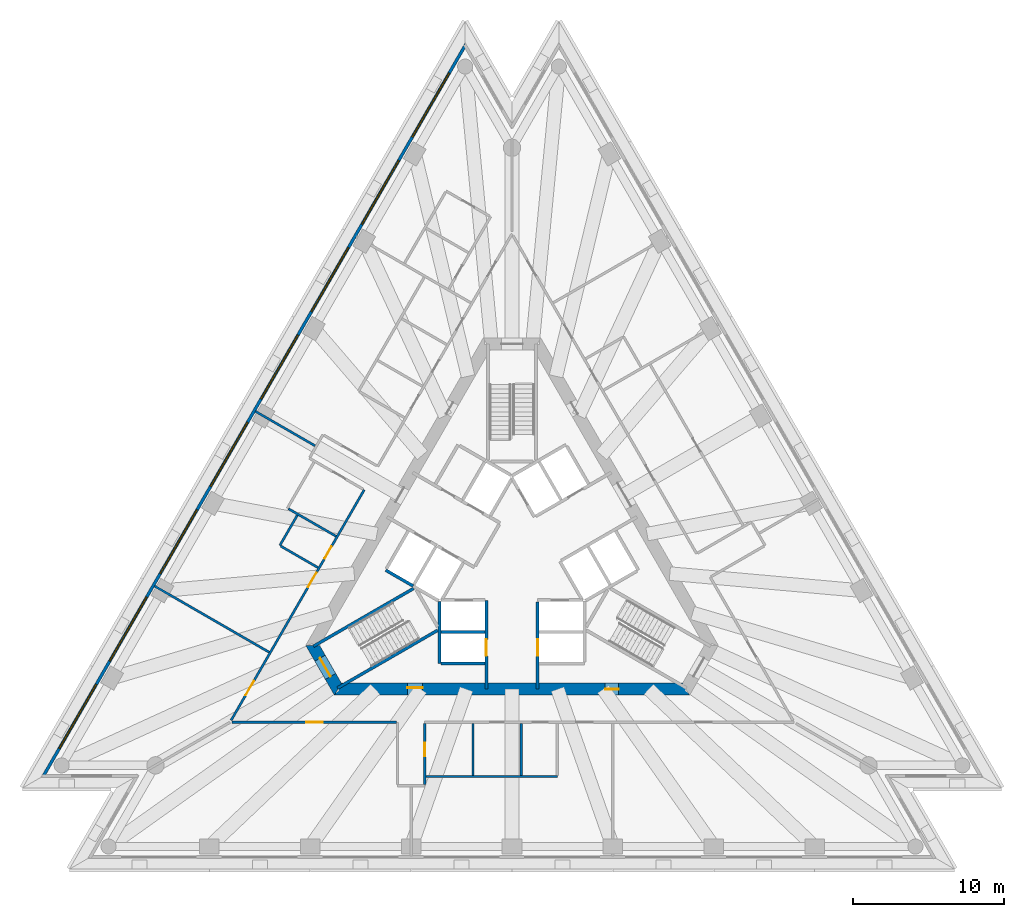
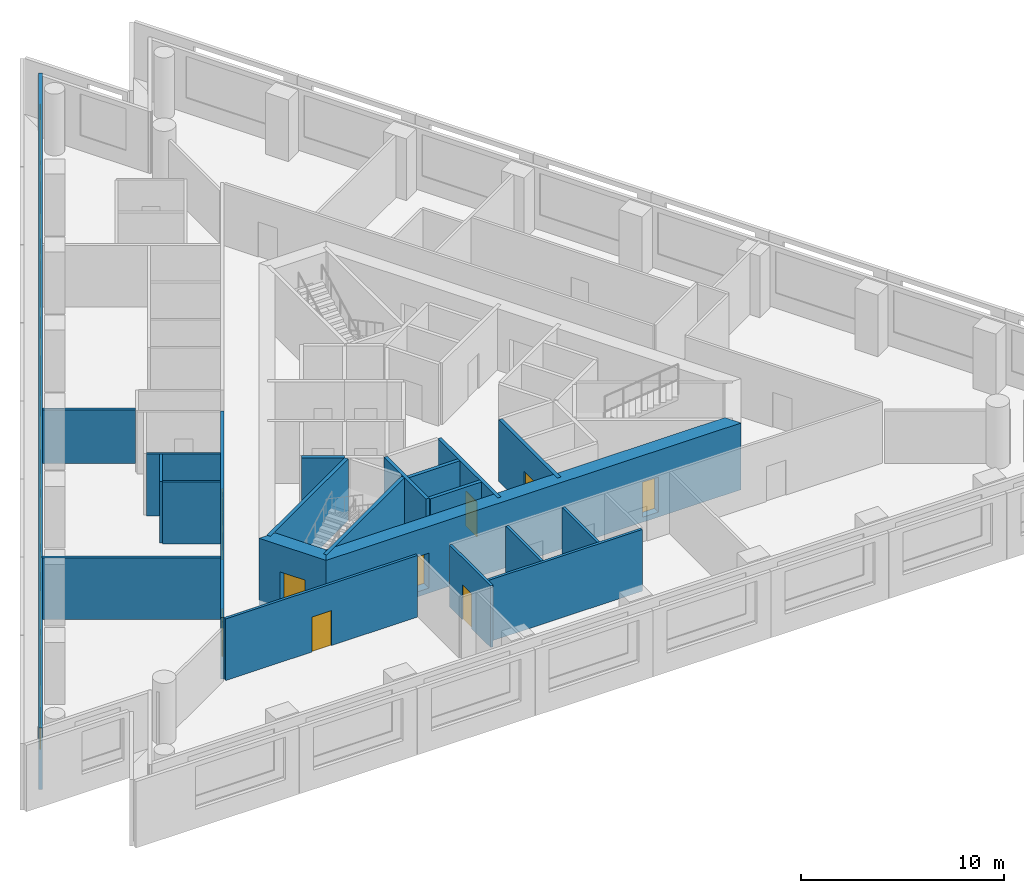
# One storey, part 3 of 9: 22 walls, 10 doors, 8 windows, 18 openings.
"""IFC4 building model written with IfcOpenShell, lengths in metres."""

from ifc_helpers import new_model, si_unit, direction, frame, frame_2d, origin, place, context, subcontext, project, spatial, polyline, rectangle, outline, extrude, material, layer, layer_set, layer_usage, type_object, element, fill, save


model = new_model("IFC4")

# Units and contexts
model_context = context("Model", 3, precision=1e-05, world=origin(), true_north=direction((0.0, 1.0)))
body_context = subcontext(model_context, "Body", "Model", "MODEL_VIEW")
ifc_project = project(units=[si_unit("LENGTHUNIT", "METRE"), si_unit("AREAUNIT", "SQUARE_METRE"), si_unit("VOLUMEUNIT", "CUBIC_METRE"), si_unit("PLANEANGLEUNIT", "RADIAN"), si_unit("MASSUNIT", "GRAM", prefix="KILO")], contexts=[model_context])

# Site, building, storey
site_placement = place(None, origin())
site = spatial("IfcSite", under=ifc_project, at=site_placement, CompositionType="ELEMENT")
building_placement = place(site_placement, origin())
building = spatial("IfcBuilding", under=site, at=building_placement, Name="Triada Interchange Tower", CompositionType="ELEMENT")
storey_placement = place(building_placement, frame((0.0, 0.0, 140.300048828125)))
storey = spatial("IfcBuildingStorey", under=building, at=storey_placement, Name="L32", CompositionType="ELEMENT", Elevation=140.300048828125)

# Walls
ifc_material_1 = material(Name="Concrete C30/37", Category="concrete")
ifc_layer_1 = layer(ifc_material_1, 0.199951171875)
ifc_layer_set_1 = layer_set([ifc_layer_1], Name="CORE WALL 200 EI 120")
wall_type_1 = type_object("IfcWallType", Name="CORE WALL 200 EI 120", PredefinedType="SOLIDWALL", material=ifc_layer_set_1)
wall_1_placement = place(storey_placement, frame((-8.3759765625, -0.70703125, 0.0), z_axis=(0.0, 0.0, 1.0), x_axis=(0.866067520717, -0.499927044236, 0.0)))
element("IfcWall", 1, at=wall_1_placement, inside=storey, type_object=wall_type_1, Name="Wall L32 46", PredefinedType="SOLIDWALL", context=body_context, shape_type="SweptSolid", body=[
    extrude(rectangle(XDim=2.100341796875, YDim=0.199951171875, at=frame_2d((1.05029296875, 0.0))), origin(), (0.0, 0.0, 1.0), 3.699951171875),
])
wall_2_placement = place(storey_placement, frame((-4.699951171875, -4.800048828125, 0.0), z_axis=(0.0, 0.0, 1.0), x_axis=(1.0, 0.0, 0.0)))
element("IfcWall", 2, at=wall_2_placement, inside=storey, type_object=wall_type_1, Name="Wall L32 48", PredefinedType="SOLIDWALL", context=body_context, shape_type="SweptSolid", body=[
    extrude(rectangle(XDim=2.89990234375, YDim=0.199951171875, at=frame_2d((1.449951171875, 0.0))), origin(), (0.0, 0.0, 1.0), 3.699951171875),
])
wall_3_placement = place(storey_placement, frame((-4.800048828125, -6.89990234375, 0.0), z_axis=(0.0, 0.0, 1.0), x_axis=(0.0, 1.0, 0.0)))
element("IfcWall", 3, at=wall_3_placement, inside=storey, type_object=wall_type_1, Name="Wall L32 50", PredefinedType="SOLIDWALL", context=body_context, shape_type="SweptSolid", body=[
    extrude(rectangle(XDim=4.130859375, YDim=0.199951171875, at=frame_2d((2.0654296875, 0.0))), origin(), (0.0, 0.0, 1.0), 3.699951171875),
])
wall_4_placement = place(storey_placement, frame((-4.699951171875, -6.89990234375, 0.0), z_axis=(0.0, 0.0, 1.0), x_axis=(1.0, 0.0, 0.0)))
element("IfcWall", 4, at=wall_4_placement, inside=storey, type_object=wall_type_1, Name="Wall L32 51", PredefinedType="SOLIDWALL", context=body_context, shape_type="SweptSolid", body=[
    extrude(rectangle(XDim=2.89990234375, YDim=0.199951171875, at=frame_2d((1.449951171875, 0.0))), origin(), (0.0, 0.0, 1.0), 3.699951171875),
])

# Wall, opening, door
wall_5_placement = place(storey_placement, frame((-1.699951171875, -8.580078125, 0.0), z_axis=(0.0, 0.0, 1.0), x_axis=(0.0, 1.0, 0.0)))
wall_5 = element("IfcWall", 5, at=wall_5_placement, inside=storey, type_object=wall_type_1, Name="Wall L32 53", PredefinedType="SOLIDWALL", context=body_context, shape_type="SweptSolid", body=[
    extrude(rectangle(XDim=5.877197265625, YDim=0.199951171875, at=frame_2d((2.9384765625, 0.0))), origin(), (0.0, 0.0, 1.0), 3.699951171875),
])
opening_1_placement = place(wall_5_placement, frame((2.179931640625, 0.0, 0.0)))
opening_1 = element("IfcOpeningElement", 6, at=opening_1_placement, cuts=wall_5, Name="Opening LD-LR4", PredefinedType="OPENING", context=body_context, shape_type="SweptSolid", body=[
    extrude(rectangle(XDim=1.10009765625, YDim=2.10009765625, at=frame_2d((0.550048828125, 1.050048828125))), frame((0.0, 0.10986328125, 0.0), z_axis=(0.0, -1.0, 0.0), x_axis=(1.0, 0.0, 0.0)), (0.0, 0.0, 1.0), 0.219970703125),
])
ifc_material_2 = material(Name="Steel S235 door leaf", Category="steel")
door_type_1 = type_object("IfcDoorType", Name="LIFT LANDING DOOR 1100 EI 120", OperationType="SLIDING_TO_LEFT", PredefinedType="DOOR", material=ifc_material_2)
door_1_placement = place(opening_1_placement, origin())
door_1 = element("IfcDoor", 7, at=door_1_placement, inside=storey, type_object=door_type_1, Name="LR4 landing door L32", OperationType="SLIDING_TO_LEFT", OverallHeight=2.10009765625, OverallWidth=1.10009765625, PredefinedType="DOOR", context=body_context, shape_type="SweptSolid", body=[
    extrude(rectangle(XDim=1.10009765625, YDim=2.10009765625, at=frame_2d((0.550048828125, 1.050048828125))), frame((0.0, 0.02490234375, 0.0), z_axis=(0.0, -1.0, 0.0), x_axis=(1.0, 0.0, 0.0)), (0.0, 0.0, 1.0), 0.050048828125),
])
fill(opening_1, door_1)

wall_6_placement = place(storey_placement, frame((1.699951171875, -8.580078125, 0.0), z_axis=(0.0, 0.0, 1.0), x_axis=(0.0, 1.0, 0.0)))
wall_6 = element("IfcWall", 8, at=wall_6_placement, inside=storey, type_object=wall_type_1, Name="Wall L32 60", PredefinedType="SOLIDWALL", context=body_context, shape_type="SweptSolid", body=[
    extrude(rectangle(XDim=5.777099609375, YDim=0.199951171875, at=frame_2d((2.888671875, 0.0))), origin(), (0.0, 0.0, 1.0), 3.699951171875),
])
opening_2_placement = place(wall_6_placement, frame((2.179931640625, 0.0, 0.0)))
opening_2 = element("IfcOpeningElement", 9, at=opening_2_placement, cuts=wall_6, Name="Opening LD-LR2", PredefinedType="OPENING", context=body_context, shape_type="SweptSolid", body=[
    extrude(rectangle(XDim=1.10009765625, YDim=2.10009765625, at=frame_2d((0.550048828125, 1.050048828125))), frame((0.0, 0.10986328125, 0.0), z_axis=(0.0, -1.0, 0.0), x_axis=(1.0, 0.0, 0.0)), (0.0, 0.0, 1.0), 0.219970703125),
])
door_2_placement = place(opening_2_placement, origin())
door_2 = element("IfcDoor", 10, at=door_2_placement, inside=storey, type_object=door_type_1, Name="LR2 landing door L32", OperationType="SLIDING_TO_LEFT", OverallHeight=2.10009765625, OverallWidth=1.10009765625, PredefinedType="DOOR", context=body_context, shape_type="SweptSolid", body=[
    extrude(rectangle(XDim=1.10009765625, YDim=2.10009765625, at=frame_2d((0.550048828125, 1.050048828125))), frame((0.0, 0.02490234375, 0.0), z_axis=(0.0, -1.0, 0.0), x_axis=(1.0, 0.0, 0.0)), (0.0, 0.0, 1.0), 0.050048828125),
])
fill(opening_2, door_2)

# Walls
ifc_layer_2 = layer(ifc_material_1, 0.199951171875)
ifc_layer_set_2 = layer_set([ifc_layer_2], Name="CORE WALL 200 REI 240")
wall_type_2 = type_object("IfcWallType", Name="CORE WALL 200 REI 240", PredefinedType="SOLIDWALL", material=ifc_layer_set_2)
wall_7_placement = place(storey_placement, frame((-13.1669921875, -5.75390625, 0.0), z_axis=(0.0, 0.0, 1.0), x_axis=(0.866060938598, 0.499938446846, 0.0)))
element("IfcWall", 11, at=wall_7_placement, inside=storey, type_object=wall_type_2, Name="Wall L32 83", PredefinedType="SOLIDWALL", context=body_context, shape_type="SweptSolid", body=[
    extrude(rectangle(XDim=7.66455078125, YDim=0.199951171875, at=frame_2d((3.832275390625, 0.0))), origin(), (0.0, 0.0, 1.0), 3.699951171875),
])
wall_8_placement = place(storey_placement, frame((-11.56689453125, -8.52587890625, 0.0), z_axis=(0.0, 0.0, 1.0), x_axis=(0.866005769735, 0.50003400563, 0.0)))
element("IfcWall", 12, at=wall_8_placement, inside=storey, type_object=wall_type_2, Name="Wall L32 85", PredefinedType="SOLIDWALL", context=body_context, shape_type="SweptSolid", body=[
    extrude(rectangle(XDim=7.6650390625, YDim=0.199951171875, at=frame_2d((3.83251953125, 0.0))), origin(), (0.0, 0.0, 1.0), 3.699951171875),
])

# Wall, opening, door
ifc_material_3 = material(Name="Concrete C60/75", Category="concrete")
ifc_layer_3 = layer(ifc_material_3, 0.800048828125)
ifc_layer_set_3 = layer_set([ifc_layer_3], Name="Core wall B 800")
wall_type_3 = type_object("IfcWallType", Name="Core wall B 800", PredefinedType="SHEAR", material=ifc_layer_set_3)
wall_9_placement = place(storey_placement, frame((-13.220947265625, -5.699951171875, -0.300048828125), z_axis=(0.0, 0.0, 1.0), x_axis=(0.49987182685, -0.866099391942, 0.0)))
wall_9 = element("IfcWall", 13, at=wall_9_placement, inside=storey, type_object=wall_type_3, Name="Core wall WB03 L32", PredefinedType="SHEAR", context=body_context, shape_type="SweptSolid", body=[
    extrude(outline(polyline([(-0.23095703125, -0.39990234375), (1.674072265625, -0.39990234375), (3.5791015625, -0.39990234375), (3.117919921875, 0.39990234375), (1.67431640625, 0.39990234375), (0.23095703125, 0.39990234375), (-0.23095703125, -0.39990234375)])), origin(), (0.0, 0.0, 1.0), 4.0),
])
opening_3_placement = place(wall_9_placement, frame((0.97412109375, 0.0, 0.300048828125)))
opening_3 = element("IfcOpeningElement", 14, at=opening_3_placement, cuts=wall_9, Name="Opening D32-36", PredefinedType="OPENING", context=body_context, shape_type="SweptSolid", body=[
    extrude(rectangle(XDim=1.39990234375, YDim=2.10009765625, at=frame_2d((0.699951171875, 1.050048828125))), frame((0.0, 0.409912109375, 0.0), z_axis=(0.0, -1.0, 0.0), x_axis=(1.0, 0.0, 0.0)), (0.0, 0.0, 1.0), 0.820068359375),
])
door_type_2 = type_object("IfcDoorType", Name="STAIR DOOR 1400 EI2 90-C5S200", OperationType="DOUBLE_DOOR_SINGLE_SWING", PredefinedType="DOOR", material=ifc_material_2)
door_3_placement = place(opening_3_placement, origin())
door_3 = element("IfcDoor", 15, at=door_3_placement, inside=storey, type_object=door_type_2, Name="Door D32-36 L32", OperationType="DOUBLE_DOOR_SINGLE_SWING", OverallHeight=2.10009765625, OverallWidth=1.39990234375, PredefinedType="DOOR", context=body_context, shape_type="SweptSolid", body=[
    extrude(rectangle(XDim=1.39990234375, YDim=2.10009765625, at=frame_2d((0.699951171875, 1.050048828125))), frame((0.0, 0.02490234375, 0.0), z_axis=(0.0, -1.0, 0.0), x_axis=(1.0, 0.0, 0.0)), (0.0, 0.0, 1.0), 0.050048828125),
])
fill(opening_3, door_3)

# Wall, openings, doors
wall_10_placement = place(storey_placement, frame((-11.547119140625, -8.60009765625, -0.300048828125), z_axis=(0.0, 0.0, 1.0), x_axis=(1.0, 0.0, 0.0)))
wall_10 = element("IfcWall", 16, at=wall_10_placement, inside=storey, type_object=wall_type_3, Name="Core wall WB04 L32", PredefinedType="SHEAR", context=body_context, shape_type="SweptSolid", body=[
    extrude(outline(polyline([(-0.23095703125, -0.39990234375), (1.73193359375, -0.39990234375), (3.695068359375, -0.39990234375), (5.657958984375, -0.39990234375), (7.62109375, -0.39990234375), (9.583984375, -0.39990234375), (11.546875, -0.39990234375), (13.510009765625, -0.39990234375), (15.472900390625, -0.39990234375), (17.43603515625, -0.39990234375), (19.39892578125, -0.39990234375), (21.362060546875, -0.39990234375), (23.324951171875, -0.39990234375), (22.863037109375, 0.39990234375), (20.97705078125, 0.39990234375), (19.091064453125, 0.39990234375), (17.205078125, 0.39990234375), (15.319091796875, 0.39990234375), (13.43310546875, 0.39990234375), (11.546875, 0.39990234375), (9.660888671875, 0.39990234375), (7.77490234375, 0.39990234375), (5.888916015625, 0.39990234375), (4.0029296875, 0.39990234375), (2.116943359375, 0.39990234375), (0.23095703125, 0.39990234375), (-0.23095703125, -0.39990234375)])), origin(), (0.0, 0.0, 1.0), 4.0),
])
opening_4_placement = place(wall_10_placement, frame((4.612060546875, 0.0, 0.300048828125)))
opening_4 = element("IfcOpeningElement", 17, at=opening_4_placement, cuts=wall_10, Name="Opening D32-39", PredefinedType="OPENING", context=body_context, shape_type="SweptSolid", body=[
    extrude(rectangle(XDim=1.0, YDim=2.10009765625, at=frame_2d((0.5, 1.050048828125))), frame((0.0, 0.409912109375, 0.0), z_axis=(0.0, -1.0, 0.0), x_axis=(1.0, 0.0, 0.0)), (0.0, 0.0, 1.0), 0.820068359375),
])
opening_5_placement = place(wall_10_placement, frame((17.721923828125, 0.0, 0.300048828125)))
opening_5 = element("IfcOpeningElement", 18, at=opening_5_placement, cuts=wall_10, Name="Opening D32-42", PredefinedType="OPENING", context=body_context, shape_type="SweptSolid", body=[
    extrude(rectangle(XDim=0.89990234375, YDim=2.10009765625, at=frame_2d((0.449951171875, 1.050048828125))), frame((0.0, 0.409912109375, 0.0), z_axis=(0.0, -1.0, 0.0), x_axis=(1.0, 0.0, 0.0)), (0.0, 0.0, 1.0), 0.820068359375),
])
door_type_3 = type_object("IfcDoorType", Name="RISER ACCESS DOOR 900 EI2 45-C5S200", OperationType="NOTDEFINED", PredefinedType="DOOR", material=ifc_material_2)
door_4_placement = place(opening_5_placement, origin())
door_4 = element("IfcDoor", 19, at=door_4_placement, inside=storey, type_object=door_type_3, Name="Door D32-42 L32", OperationType="SINGLE_SWING_LEFT", OverallHeight=2.10009765625, OverallWidth=0.89990234375, PredefinedType="DOOR", context=body_context, shape_type="SweptSolid", body=[
    extrude(rectangle(XDim=0.89990234375, YDim=2.10009765625, at=frame_2d((0.449951171875, 1.050048828125))), frame((0.0, 0.02490234375, 0.0), z_axis=(0.0, -1.0, 0.0), x_axis=(1.0, 0.0, 0.0)), (0.0, 0.0, 1.0), 0.050048828125),
])
fill(opening_5, door_4)
door_type_4 = type_object("IfcDoorType", Name="SERVICE DOOR 1000 EI2 45-C5S200", OperationType="NOTDEFINED", PredefinedType="DOOR", material=ifc_material_2)
door_5_placement = place(opening_4_placement, origin())
door_5 = element("IfcDoor", 20, at=door_5_placement, inside=storey, type_object=door_type_4, Name="Door D32-39 L32", OperationType="SINGLE_SWING_LEFT", OverallHeight=2.10009765625, OverallWidth=1.0, PredefinedType="DOOR", context=body_context, shape_type="SweptSolid", body=[
    extrude(rectangle(XDim=1.0, YDim=2.10009765625, at=frame_2d((0.5, 1.050048828125))), frame((0.0, 0.125, 0.0), z_axis=(0.0, -1.0, 0.0), x_axis=(1.0, 0.0, 0.0)), (0.0, 0.0, 1.0), 0.050048828125),
])
fill(opening_4, door_5)

# Wall, openings, windows
ifc_material_4 = material(Name="Cement board")
ifc_layer_4 = layer(ifc_material_4, 0.02001953125, Name="Cement board cladding")
ifc_material_5 = material(Name="Sheathing board")
ifc_layer_5 = layer(ifc_material_5, 0.014892578125, Name="Sheathing board")
ifc_material_6 = material(Name="Mineral wool")
ifc_layer_6 = layer(ifc_material_6, 0.14990234375, Name="Mineral wool between steel studs")
ifc_material_7 = material(Name="Gypsum board")
ifc_layer_7 = layer(ifc_material_7, 0.014892578125, Name="Plasterboard lining")
ifc_layer_set_4 = layer_set([ifc_layer_4, ifc_layer_5, ifc_layer_6, ifc_layer_7], Name="External wall 200")
ifc_layer_usage = layer_usage(ifc_layer_set_4, "AXIS2", "POSITIVE", -0.10009765625)
wall_type_4 = type_object("IfcWallType", Name="External wall 200", PredefinedType="ELEMENTEDWALL", material=ifc_layer_set_4)
wall_11_placement = place(storey_placement, frame((-3.06298828125, 34.172119140625, 0.0), z_axis=(0.0, 0.0, 1.0), x_axis=(-0.500008098571, -0.866020728022, 0.0)))
wall_11 = element("IfcWall", 21, at=wall_11_placement, inside=storey, type_object=wall_type_4, material=ifc_layer_usage, Name="External wall L32 NW", PredefinedType="ELEMENTEDWALL", context=body_context, shape_type="SweptSolid", body=[
    extrude(rectangle(XDim=56.10498046875, YDim=0.199951171875, at=frame_2d((28.052490234375, 0.0))), origin(), (0.0, 0.0, 1.0), 3.699951171875),
])
opening_6_placement = place(wall_11_placement, frame((2.197021484375, 0.0, 0.89990234375)))
opening_6 = element("IfcOpeningElement", 22, at=opening_6_placement, cuts=wall_11, Name="Opening WB01", PredefinedType="OPENING", context=body_context, shape_type="SweptSolid", body=[
    extrude(rectangle(XDim=4.89990234375, YDim=2.5, at=frame_2d((2.449951171875, 1.25))), frame((0.0, 0.10986328125, 0.0), z_axis=(0.0, -1.0, 0.0), x_axis=(1.0, 0.0, 0.0)), (0.0, 0.0, 1.0), 0.219970703125),
])
opening_7_placement = place(wall_11_placement, frame((8.886962890625, 0.0, 0.89990234375)))
opening_7 = element("IfcOpeningElement", 23, at=opening_7_placement, cuts=wall_11, Name="Opening WB02", PredefinedType="OPENING", context=body_context, shape_type="SweptSolid", body=[
    extrude(rectangle(XDim=4.89990234375, YDim=2.5, at=frame_2d((2.449951171875, 1.25))), frame((0.0, 0.10986328125, 0.0), z_axis=(0.0, -1.0, 0.0), x_axis=(1.0, 0.0, 0.0)), (0.0, 0.0, 1.0), 0.219970703125),
])
opening_8_placement = place(wall_11_placement, frame((15.576904296875, 0.0, 0.89990234375)))
opening_8 = element("IfcOpeningElement", 24, at=opening_8_placement, cuts=wall_11, Name="Opening WB03", PredefinedType="OPENING", context=body_context, shape_type="SweptSolid", body=[
    extrude(rectangle(XDim=4.89990234375, YDim=2.5, at=frame_2d((2.449951171875, 1.25))), frame((0.0, 0.10986328125, 0.0), z_axis=(0.0, -1.0, 0.0), x_axis=(1.0, 0.0, 0.0)), (0.0, 0.0, 1.0), 0.219970703125),
])
opening_9_placement = place(wall_11_placement, frame((22.26708984375, 0.0, 0.89990234375)))
opening_9 = element("IfcOpeningElement", 25, at=opening_9_placement, cuts=wall_11, Name="Opening WB04", PredefinedType="OPENING", context=body_context, shape_type="SweptSolid", body=[
    extrude(rectangle(XDim=4.89990234375, YDim=2.5, at=frame_2d((2.449951171875, 1.25))), frame((0.0, 0.10986328125, 0.0), z_axis=(0.0, -1.0, 0.0), x_axis=(1.0, 0.0, 0.0)), (0.0, 0.0, 1.0), 0.219970703125),
])
opening_10_placement = place(wall_11_placement, frame((28.95703125, 0.0, 0.89990234375)))
opening_10 = element("IfcOpeningElement", 26, at=opening_10_placement, cuts=wall_11, Name="Opening WB05", PredefinedType="OPENING", context=body_context, shape_type="SweptSolid", body=[
    extrude(rectangle(XDim=4.89990234375, YDim=2.5, at=frame_2d((2.449951171875, 1.25))), frame((0.0, 0.10986328125, 0.0), z_axis=(0.0, -1.0, 0.0), x_axis=(1.0, 0.0, 0.0)), (0.0, 0.0, 1.0), 0.219970703125),
])
opening_11_placement = place(wall_11_placement, frame((35.64697265625, 0.0, 0.89990234375)))
opening_11 = element("IfcOpeningElement", 27, at=opening_11_placement, cuts=wall_11, Name="Opening WB06", PredefinedType="OPENING", context=body_context, shape_type="SweptSolid", body=[
    extrude(rectangle(XDim=4.89990234375, YDim=2.5, at=frame_2d((2.449951171875, 1.25))), frame((0.0, 0.10986328125, 0.0), z_axis=(0.0, -1.0, 0.0), x_axis=(1.0, 0.0, 0.0)), (0.0, 0.0, 1.0), 0.219970703125),
])
opening_12_placement = place(wall_11_placement, frame((42.3369140625, 0.0, 0.89990234375)))
opening_12 = element("IfcOpeningElement", 28, at=opening_12_placement, cuts=wall_11, Name="Opening WB07", PredefinedType="OPENING", context=body_context, shape_type="SweptSolid", body=[
    extrude(rectangle(XDim=4.89990234375, YDim=2.5, at=frame_2d((2.449951171875, 1.25))), frame((0.0, 0.10986328125, 0.0), z_axis=(0.0, -1.0, 0.0), x_axis=(1.0, 0.0, 0.0)), (0.0, 0.0, 1.0), 0.219970703125),
])
opening_13_placement = place(wall_11_placement, frame((49.027099609375, 0.0, 0.89990234375)))
opening_13 = element("IfcOpeningElement", 29, at=opening_13_placement, cuts=wall_11, Name="Opening WB08", PredefinedType="OPENING", context=body_context, shape_type="SweptSolid", body=[
    extrude(rectangle(XDim=4.89990234375, YDim=2.5, at=frame_2d((2.449951171875, 1.25))), frame((0.0, 0.10986328125, 0.0), z_axis=(0.0, -1.0, 0.0), x_axis=(1.0, 0.0, 0.0)), (0.0, 0.0, 1.0), 0.219970703125),
])
ifc_material_8 = material(Name="Double glazed aluminium window", Category="aluminium")
window_type = type_object("IfcWindowType", Name="Ribbon window B face", PartitioningType="SINGLE_PANEL", PredefinedType="WINDOW", material=ifc_material_8)
window_1_placement = place(opening_6_placement, origin())
window_1 = element("IfcWindow", 30, at=window_1_placement, inside=storey, type_object=window_type, Name="Window L32 NW 1", OverallHeight=2.5, OverallWidth=4.89990234375, PartitioningType="SINGLE_PANEL", PredefinedType="WINDOW", context=body_context, shape_type="SweptSolid", body=[
    extrude(rectangle(XDim=4.89990234375, YDim=2.5, at=frame_2d((2.449951171875, 1.25))), frame((0.0, 0.030029296875, 0.0), z_axis=(0.0, -1.0, 0.0), x_axis=(1.0, 0.0, 0.0)), (0.0, 0.0, 1.0), 0.06005859375),
])
fill(opening_6, window_1)
window_2_placement = place(opening_7_placement, origin())
window_2 = element("IfcWindow", 31, at=window_2_placement, inside=storey, type_object=window_type, Name="Window L32 NW 2", OverallHeight=2.5, OverallWidth=4.89990234375, PartitioningType="SINGLE_PANEL", PredefinedType="WINDOW", context=body_context, shape_type="SweptSolid", body=[
    extrude(rectangle(XDim=4.89990234375, YDim=2.5, at=frame_2d((2.449951171875, 1.25))), frame((0.0, 0.030029296875, 0.0), z_axis=(0.0, -1.0, 0.0), x_axis=(1.0, 0.0, 0.0)), (0.0, 0.0, 1.0), 0.06005859375),
])
fill(opening_7, window_2)
window_3_placement = place(opening_8_placement, origin())
window_3 = element("IfcWindow", 32, at=window_3_placement, inside=storey, type_object=window_type, Name="Window L32 NW 3", OverallHeight=2.5, OverallWidth=4.89990234375, PartitioningType="SINGLE_PANEL", PredefinedType="WINDOW", context=body_context, shape_type="SweptSolid", body=[
    extrude(rectangle(XDim=4.89990234375, YDim=2.5, at=frame_2d((2.449951171875, 1.25))), frame((0.0, 0.030029296875, 0.0), z_axis=(0.0, -1.0, 0.0), x_axis=(1.0, 0.0, 0.0)), (0.0, 0.0, 1.0), 0.06005859375),
])
fill(opening_8, window_3)
window_4_placement = place(opening_9_placement, origin())
window_4 = element("IfcWindow", 33, at=window_4_placement, inside=storey, type_object=window_type, Name="Window L32 NW 4", OverallHeight=2.5, OverallWidth=4.89990234375, PartitioningType="SINGLE_PANEL", PredefinedType="WINDOW", context=body_context, shape_type="SweptSolid", body=[
    extrude(rectangle(XDim=4.89990234375, YDim=2.5, at=frame_2d((2.449951171875, 1.25))), frame((0.0, 0.030029296875, 0.0), z_axis=(0.0, -1.0, 0.0), x_axis=(1.0, 0.0, 0.0)), (0.0, 0.0, 1.0), 0.06005859375),
])
fill(opening_9, window_4)
window_5_placement = place(opening_10_placement, origin())
window_5 = element("IfcWindow", 34, at=window_5_placement, inside=storey, type_object=window_type, Name="Window L32 NW 5", OverallHeight=2.5, OverallWidth=4.89990234375, PartitioningType="SINGLE_PANEL", PredefinedType="WINDOW", context=body_context, shape_type="SweptSolid", body=[
    extrude(rectangle(XDim=4.89990234375, YDim=2.5, at=frame_2d((2.449951171875, 1.25))), frame((0.0, 0.030029296875, 0.0), z_axis=(0.0, -1.0, 0.0), x_axis=(1.0, 0.0, 0.0)), (0.0, 0.0, 1.0), 0.06005859375),
])
fill(opening_10, window_5)
window_6_placement = place(opening_11_placement, origin())
window_6 = element("IfcWindow", 35, at=window_6_placement, inside=storey, type_object=window_type, Name="Window L32 NW 6", OverallHeight=2.5, OverallWidth=4.89990234375, PartitioningType="SINGLE_PANEL", PredefinedType="WINDOW", context=body_context, shape_type="SweptSolid", body=[
    extrude(rectangle(XDim=4.89990234375, YDim=2.5, at=frame_2d((2.449951171875, 1.25))), frame((0.0, 0.030029296875, 0.0), z_axis=(0.0, -1.0, 0.0), x_axis=(1.0, 0.0, 0.0)), (0.0, 0.0, 1.0), 0.06005859375),
])
fill(opening_11, window_6)
window_7_placement = place(opening_12_placement, origin())
window_7 = element("IfcWindow", 36, at=window_7_placement, inside=storey, type_object=window_type, Name="Window L32 NW 7", OverallHeight=2.5, OverallWidth=4.89990234375, PartitioningType="SINGLE_PANEL", PredefinedType="WINDOW", context=body_context, shape_type="SweptSolid", body=[
    extrude(rectangle(XDim=4.89990234375, YDim=2.5, at=frame_2d((2.449951171875, 1.25))), frame((0.0, 0.030029296875, 0.0), z_axis=(0.0, -1.0, 0.0), x_axis=(1.0, 0.0, 0.0)), (0.0, 0.0, 1.0), 0.06005859375),
])
fill(opening_12, window_7)
window_8_placement = place(opening_13_placement, origin())
window_8 = element("IfcWindow", 37, at=window_8_placement, inside=storey, type_object=window_type, Name="Window L32 NW 8", OverallHeight=2.5, OverallWidth=4.89990234375, PartitioningType="SINGLE_PANEL", PredefinedType="WINDOW", context=body_context, shape_type="SweptSolid", body=[
    extrude(rectangle(XDim=4.89990234375, YDim=2.5, at=frame_2d((2.449951171875, 1.25))), frame((0.0, 0.030029296875, 0.0), z_axis=(0.0, -1.0, 0.0), x_axis=(1.0, 0.0, 0.0)), (0.0, 0.0, 1.0), 0.06005859375),
])
fill(opening_13, window_8)

# Wall
ifc_material_9 = material(Name="Gypsum board partition")
ifc_layer_8 = layer(ifc_material_9, 0.14990234375)
ifc_layer_set_5 = layer_set([ifc_layer_8], Name="PARTITION 150 EI 180")
wall_type_5 = type_object("IfcWallType", Name="PARTITION 150 EI 180", PredefinedType="PARTITIONING", material=ifc_layer_set_5)
wall_12_placement = place(storey_placement, frame((-23.715087890625, -1.758056640625, 0.0), z_axis=(0.0, 0.0, 1.0), x_axis=(0.866033311227, -0.499986303657, 0.0)))
element("IfcWall", 38, at=wall_12_placement, inside=storey, type_object=wall_type_5, Name="Wall L32 2", PredefinedType="PARTITIONING", context=body_context, shape_type="SweptSolid", body=[
    extrude(rectangle(XDim=8.783935546875, YDim=0.14990234375, at=frame_2d((4.39208984375, 0.0))), origin(), (0.0, 0.0, 1.0), 3.699951171875),
])

# Wall, opening, door
wall_13_placement = place(storey_placement, frame((-18.555908203125, -10.800048828125, 0.0), z_axis=(0.0, 0.0, 1.0), x_axis=(1.0, 0.0, 0.0)))
wall_13 = element("IfcWall", 39, at=wall_13_placement, inside=storey, type_object=wall_type_5, Name="Wall L32 5", PredefinedType="PARTITIONING", context=body_context, shape_type="SweptSolid", body=[
    extrude(rectangle(XDim=10.889892578125, YDim=0.14990234375, at=frame_2d((5.44482421875, 0.0))), origin(), (0.0, 0.0, 1.0), 3.699951171875),
])
opening_14_placement = place(wall_13_placement, frame((4.89990234375, 0.0, 0.0)))
opening_14 = element("IfcOpeningElement", 40, at=opening_14_placement, cuts=wall_13, Name="Opening D32-11", PredefinedType="OPENING", context=body_context, shape_type="SweptSolid", body=[
    extrude(rectangle(XDim=1.10009765625, YDim=2.10009765625, at=frame_2d((0.550048828125, 1.050048828125))), frame((0.0, 0.0849609375, 0.0), z_axis=(0.0, -1.0, 0.0), x_axis=(1.0, 0.0, 0.0)), (0.0, 0.0, 1.0), 0.169921875),
])
door_type_5 = type_object("IfcDoorType", Name="TENANCY ENTRANCE DOOR 1100 EI2 90-C5S200", OperationType="NOTDEFINED", PredefinedType="DOOR", material=ifc_material_2)
door_6_placement = place(opening_14_placement, origin())
door_6 = element("IfcDoor", 41, at=door_6_placement, inside=storey, type_object=door_type_5, Name="Door D32-11 L32", OperationType="SINGLE_SWING_RIGHT", OverallHeight=2.10009765625, OverallWidth=1.10009765625, PredefinedType="DOOR", context=body_context, shape_type="SweptSolid", body=[
    extrude(rectangle(XDim=1.10009765625, YDim=2.10009765625, at=frame_2d((0.550048828125, 1.050048828125))), frame((0.0, 0.02490234375, 0.0), z_axis=(0.0, -1.0, 0.0), x_axis=(1.0, 0.0, 0.0)), (0.0, 0.0, 1.0), 0.050048828125),
])
fill(opening_14, door_6)

# Wall, openings, doors
wall_14_placement = place(storey_placement, frame((-18.631103515625, -10.6689453125, 0.0), z_axis=(0.0, 0.0, 1.0), x_axis=(0.50004165882, 0.866001350717, 0.0)))
wall_14 = element("IfcWall", 42, at=wall_14_placement, inside=storey, type_object=wall_type_5, Name="Wall L32 7", PredefinedType="PARTITIONING", context=body_context, shape_type="SweptSolid", body=[
    extrude(rectangle(XDim=17.65478515625, YDim=0.14990234375, at=frame_2d((8.827392578125, 0.0))), origin(), (0.0, 0.0, 1.0), 3.699951171875),
])
opening_15_placement = place(wall_14_placement, frame((10.2060546875, 0.0, 0.0)))
opening_15 = element("IfcOpeningElement", 43, at=opening_15_placement, cuts=wall_14, Name="Opening D32-30", PredefinedType="OPENING", context=body_context, shape_type="SweptSolid", body=[
    extrude(rectangle(XDim=1.10009765625, YDim=2.10009765625, at=frame_2d((0.550048828125, 1.050048828125))), frame((0.0, 0.0849609375, 0.0), z_axis=(0.0, -1.0, 0.0), x_axis=(1.0, 0.0, 0.0)), (0.0, 0.0, 1.0), 0.169921875),
])
opening_16_placement = place(wall_14_placement, frame((12.406005859375, 0.0, 0.0)))
opening_16 = element("IfcOpeningElement", 44, at=opening_16_placement, cuts=wall_14, Name="Opening D32-32", PredefinedType="OPENING", context=body_context, shape_type="SweptSolid", body=[
    extrude(rectangle(XDim=0.89990234375, YDim=2.10009765625, at=frame_2d((0.449951171875, 1.050048828125))), frame((0.0, 0.0849609375, 0.0), z_axis=(0.0, -1.0, 0.0), x_axis=(1.0, 0.0, 0.0)), (0.0, 0.0, 1.0), 0.169921875),
])
opening_17_placement = place(wall_14_placement, frame((1.925048828125, 0.0, 0.0)))
opening_17 = element("IfcOpeningElement", 45, at=opening_17_placement, cuts=wall_14, Name="Opening D32-33", PredefinedType="OPENING", context=body_context, shape_type="SweptSolid", body=[
    extrude(rectangle(XDim=1.10009765625, YDim=2.10009765625, at=frame_2d((0.550048828125, 1.050048828125))), frame((0.0, 0.0849609375, 0.0), z_axis=(0.0, -1.0, 0.0), x_axis=(1.0, 0.0, 0.0)), (0.0, 0.0, 1.0), 0.169921875),
])
door_type_6 = type_object("IfcDoorType", Name="ROOM DOOR 900 EI2 90-C5S200", OperationType="NOTDEFINED", PredefinedType="DOOR", material=ifc_material_2)
door_7_placement = place(opening_16_placement, origin())
door_7 = element("IfcDoor", 46, at=door_7_placement, inside=storey, type_object=door_type_6, Name="Door D32-32 L32", OperationType="SINGLE_SWING_LEFT", OverallHeight=2.10009765625, OverallWidth=0.89990234375, PredefinedType="DOOR", context=body_context, shape_type="SweptSolid", body=[
    extrude(rectangle(XDim=0.89990234375, YDim=2.10009765625, at=frame_2d((0.449951171875, 1.050048828125))), frame((0.0, 0.02490234375, 0.0), z_axis=(0.0, -1.0, 0.0), x_axis=(1.0, 0.0, 0.0)), (0.0, 0.0, 1.0), 0.050048828125),
])
fill(opening_16, door_7)
door_8_placement = place(opening_15_placement, origin())
door_8 = element("IfcDoor", 47, at=door_8_placement, inside=storey, type_object=door_type_5, Name="Door D32-30 L32", OperationType="SINGLE_SWING_LEFT", OverallHeight=2.10009765625, OverallWidth=1.10009765625, PredefinedType="DOOR", context=body_context, shape_type="SweptSolid", body=[
    extrude(rectangle(XDim=1.10009765625, YDim=2.10009765625, at=frame_2d((0.550048828125, 1.050048828125))), frame((0.0, 0.02490234375, 0.0), z_axis=(0.0, -1.0, 0.0), x_axis=(1.0, 0.0, 0.0)), (0.0, 0.0, 1.0), 0.050048828125),
])
fill(opening_15, door_8)
door_9_placement = place(opening_17_placement, origin())
door_9 = element("IfcDoor", 48, at=door_9_placement, inside=storey, type_object=door_type_5, Name="Door D32-33 L32", OperationType="SINGLE_SWING_LEFT", OverallHeight=2.10009765625, OverallWidth=1.10009765625, PredefinedType="DOOR", context=body_context, shape_type="SweptSolid", body=[
    extrude(rectangle(XDim=1.10009765625, YDim=2.10009765625, at=frame_2d((0.550048828125, 1.050048828125))), frame((0.0, 0.02490234375, 0.0), z_axis=(0.0, -1.0, 0.0), x_axis=(1.0, 0.0, 0.0)), (0.0, 0.0, 1.0), 0.050048828125),
])
fill(opening_17, door_9)

# Walls
wall_15_placement = place(storey_placement, frame((-17.02490234375, 9.830078125, 0.0), z_axis=(0.0, 0.0, 1.0), x_axis=(0.866032154434, -0.49998830735, 0.0)))
element("IfcWall", 49, at=wall_15_placement, inside=storey, type_object=wall_type_5, Name="Wall L32 9", PredefinedType="PARTITIONING", context=body_context, shape_type="SweptSolid", body=[
    extrude(rectangle(XDim=4.583984375, YDim=0.14990234375, at=frame_2d((2.2919921875, 0.0))), origin(), (0.0, 0.0, 1.0), 3.199951171875),
])
wall_16_placement = place(storey_placement, frame((-14.8291015625, 3.365966796875, 0.0), z_axis=(0.0, 0.0, 1.0), x_axis=(0.866040790738, -0.499973348067, 0.0)))
element("IfcWall", 50, at=wall_16_placement, inside=storey, type_object=wall_type_5, Name="Wall L32 12", PredefinedType="PARTITIONING", context=body_context, shape_type="SweptSolid", body=[
    extrude(rectangle(XDim=3.650146484375, YDim=0.14990234375, at=frame_2d((1.8251953125, 0.0))), origin(), (0.0, 0.0, 1.0), 3.699951171875),
])
wall_17_placement = place(storey_placement, frame((-15.40087890625, 0.925048828125, 0.0), z_axis=(0.0, 0.0, 1.0), x_axis=(0.500216356891, 0.865900454035, 0.0)))
element("IfcWall", 51, at=wall_17_placement, inside=storey, type_object=wall_type_5, Name="Wall L32 13", PredefinedType="PARTITIONING", context=body_context, shape_type="SweptSolid", body=[
    extrude(rectangle(XDim=2.32470703125, YDim=0.14990234375, at=frame_2d((1.162353515625, 0.0))), origin(), (0.0, 0.0, 1.0), 3.699951171875),
])
wall_18_placement = place(storey_placement, frame((-15.3359375, 0.886962890625, 0.0), z_axis=(0.0, 0.0, 1.0), x_axis=(0.866004402611, -0.500036373335, 0.0)))
element("IfcWall", 52, at=wall_18_placement, inside=storey, type_object=wall_type_5, Name="Wall L32 14", PredefinedType="PARTITIONING", context=body_context, shape_type="SweptSolid", body=[
    extrude(rectangle(XDim=2.849853515625, YDim=0.14990234375, at=frame_2d((1.4248046875, 0.0))), origin(), (0.0, 0.0, 1.0), 3.699951171875),
])

# Wall, opening, door
wall_19_placement = place(storey_placement, frame((-5.7900390625, -14.925048828125, 0.0), z_axis=(0.0, 0.0, 1.0), x_axis=(0.0, 1.0, 0.0)))
wall_19 = element("IfcWall", 53, at=wall_19_placement, inside=storey, type_object=wall_type_5, Name="Wall L32 24", PredefinedType="PARTITIONING", context=body_context, shape_type="SweptSolid", body=[
    extrude(rectangle(XDim=4.049072265625, YDim=0.14990234375, at=frame_2d((2.0244140625, 0.0))), origin(), (0.0, 0.0, 1.0), 3.699951171875),
])
opening_18_placement = place(wall_19_placement, frame((1.875, 0.0, 0.0)))
opening_18 = element("IfcOpeningElement", 54, at=opening_18_placement, cuts=wall_19, Name="Opening D32-13", PredefinedType="OPENING", context=body_context, shape_type="SweptSolid", body=[
    extrude(rectangle(XDim=0.89990234375, YDim=2.10009765625, at=frame_2d((0.449951171875, 1.050048828125))), frame((0.0, 0.0849609375, 0.0), z_axis=(0.0, -1.0, 0.0), x_axis=(1.0, 0.0, 0.0)), (0.0, 0.0, 1.0), 0.169921875),
])
door_10_placement = place(opening_18_placement, origin())
door_10 = element("IfcDoor", 55, at=door_10_placement, inside=storey, type_object=door_type_6, Name="Door D32-13 L32", OperationType="SINGLE_SWING_RIGHT", OverallHeight=2.10009765625, OverallWidth=0.89990234375, PredefinedType="DOOR", context=body_context, shape_type="SweptSolid", body=[
    extrude(rectangle(XDim=0.89990234375, YDim=2.10009765625, at=frame_2d((0.449951171875, 1.050048828125))), frame((0.0, 0.02490234375, 0.0), z_axis=(0.0, -1.0, 0.0), x_axis=(1.0, 0.0, 0.0)), (0.0, 0.0, 1.0), 0.050048828125),
])
fill(opening_18, door_10)

# Walls
wall_20_placement = place(storey_placement, frame((-5.715087890625, -14.39990234375, 0.0), z_axis=(0.0, 0.0, 1.0), x_axis=(1.0, 0.0, 0.0)))
element("IfcWall", 56, at=wall_20_placement, inside=storey, type_object=wall_type_5, Name="Wall L32 25", PredefinedType="PARTITIONING", context=body_context, shape_type="SweptSolid", body=[
    extrude(rectangle(XDim=8.72509765625, YDim=0.14990234375, at=frame_2d((4.362548828125, 0.0))), origin(), (0.0, 0.0, 1.0), 3.699951171875),
])
for number, where, z_axis, x_axis, name in (
    (57, (-2.590087890625, -14.324951171875, 0.0), (0.0, 0.0, 1.0), (0.0, 1.0, 0.0), "Wall L32 26"),
    (58, (0.610107421875, -14.324951171875, 0.0), (0.0, 0.0, 1.0), (0.0, 1.0, 0.0), "Wall L32 31"),
):
    element("IfcWall", number, at=place(storey_placement, frame(where, z_axis=z_axis, x_axis=x_axis)), inside=storey, type_object=wall_type_5, Name=name, PredefinedType="PARTITIONING", context=body_context, shape_type="SweptSolid", body=[
        extrude(rectangle(XDim=3.449951171875, YDim=0.14990234375, at=frame_2d((1.72509765625, 0.0))), origin(), (0.0, 0.0, 1.0), 3.699951171875),
    ])

save(model, "model.ifc")
